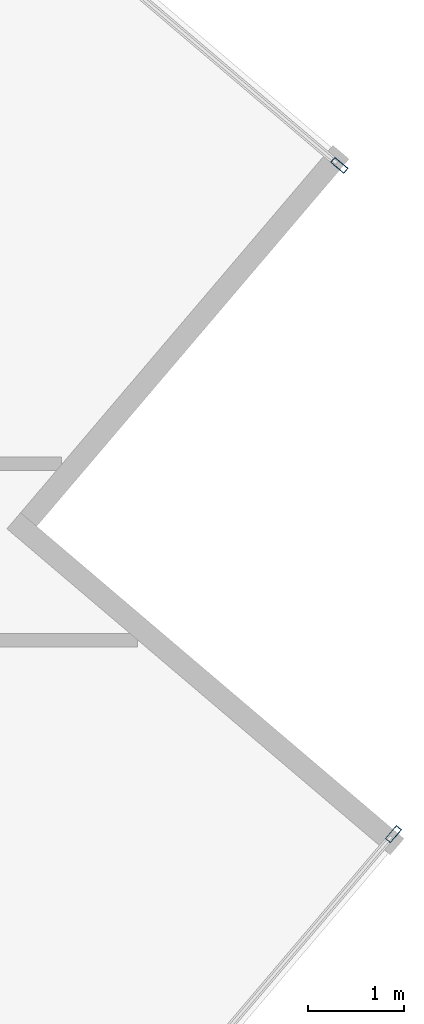
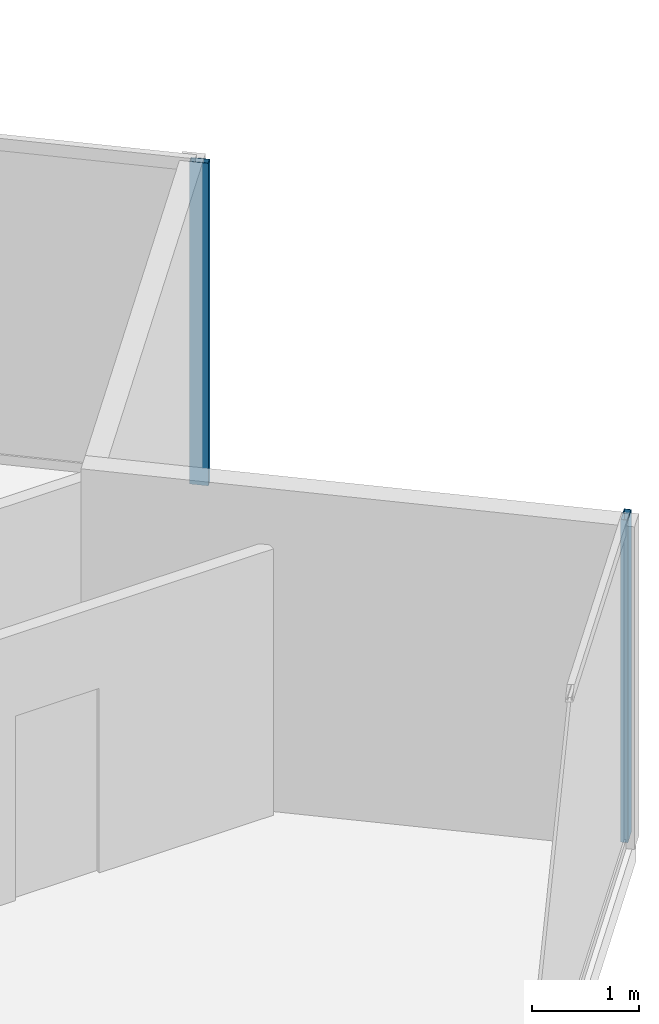
# One storey, part 13 of 25: 2 members, 2 elements without a shape of their own.
"""IFC4 building model written with IfcOpenShell, lengths in metres."""

from ifc_helpers import new_model, si_unit, direction, frame, origin, origin_2d, place, context, subcontext, project, spatial, hollow_rectangle, extrude, source, transform, mapped, material, material_profile, profile_set, type_object, type_shapes, element, aggregate, save


model = new_model("IFC4")

# Units and contexts
model_context = context("Model", 3, precision=1e-05, world=origin(), true_north=direction((0.0, 1.0)))
body_context = subcontext(model_context, "Body", "Model", "MODEL_VIEW")
ifc_project = project(units=[si_unit("LENGTHUNIT", "METRE"), si_unit("AREAUNIT", "SQUARE_METRE"), si_unit("VOLUMEUNIT", "CUBIC_METRE"), si_unit("PLANEANGLEUNIT", "RADIAN"), si_unit("MASSUNIT", "GRAM", prefix="KILO")], contexts=[model_context])

# Site, building, storey
site_placement = place(None, origin())
site = spatial("IfcSite", under=ifc_project, at=site_placement, CompositionType="ELEMENT")
building_placement = place(site_placement, origin())
building = spatial("IfcBuilding", under=site, at=building_placement, Name="Krantzveldt Concourse Tower", CompositionType="ELEMENT")
storey_placement = place(building_placement, frame((0.0, 0.0, 211.25)))
storey = spatial("IfcBuildingStorey", under=building, at=storey_placement, Name="L51", CompositionType="ELEMENT", Elevation=211.25)

# Curtain wall, member
ifc_material = material(Name="Anodised aluminium 6063-T6", Category="aluminium")
curtain_wall_type = type_object("IfcCurtainWallType", Name="CW3", PredefinedType="USERDEFINED", material=ifc_material)
curtain_wall_1_placement = place(storey_placement, origin())
curtain_wall_1 = element("IfcCurtainWall", 1, at=curtain_wall_1_placement, inside=storey, type_object=curtain_wall_type, Name="CW-L51-F07", ObjectType="UNITISED CURTAIN WALL", PredefinedType="USERDEFINED")
ifc_material_profile = material_profile(ifc_material, hollow_rectangle(XDim=0.070068359375, YDim=0.179931640625, WallThickness=0.0048828125, at=origin_2d()), Name="Anodised aluminium 6063-T6", Category="aluminium")
ifc_profile_set = profile_set([ifc_material_profile], Name="Anodised aluminium 6063-T6 - ALU-MULL 180x70x5")
member_type = type_object("IfcMemberType", Name="CW-MUL-180", PredefinedType="MULLION", material=ifc_profile_set)
shared_shape = source(origin(), body_context, "Body", "SweptSolid", [
    extrude(hollow_rectangle(XDim=0.070068359375, YDim=0.179931640625, WallThickness=0.0048828125, at=origin_2d()), origin(), (0.0, 0.0, 1.0), 3.669921875),
])
type_shapes(member_type, [shared_shape])
member_1_placement = place(storey_placement, frame((61.56689453125, 25.26025390625, 0.0), z_axis=(0.0, 0.0, 1.0), x_axis=(-0.761820912327, 0.647787694805, 0.0)))
member_1 = element("IfcMember", 2, at=member_1_placement, type_object=member_type, Name="CW-Z34 mullion 6", PredefinedType="MULLION", context=body_context, shape_type="MappedRepresentation", body=[
    mapped(shared_shape, transform((0.0, 0.0, 0.0), x_axis=(1.0, 0.0, 0.0), y_axis=(0.0, 1.0, 0.0), z_axis=(0.0, 0.0, 1.0), scale=1.0)),
])
aggregate(curtain_wall_1, [member_1])

curtain_wall_2_placement = place(storey_placement, origin())
curtain_wall_2 = element("IfcCurtainWall", 3, at=curtain_wall_2_placement, inside=storey, type_object=curtain_wall_type, Name="CW-L51-F10", ObjectType="UNITISED CURTAIN WALL", PredefinedType="USERDEFINED")
member_2_placement = place(storey_placement, frame((61.0029296875, 32.230712890625, 0.0), z_axis=(0.0, 0.0, 1.0), x_axis=(-0.647787694805, -0.761820912327, 0.0)))
member_2 = element("IfcMember", 4, at=member_2_placement, type_object=member_type, Name="CW-Z34 mullion 1", PredefinedType="MULLION", context=body_context, shape_type="MappedRepresentation", body=[
    mapped(shared_shape, transform((0.0, 0.0, 0.0), x_axis=(1.0, 0.0, 0.0), y_axis=(0.0, 1.0, 0.0), z_axis=(0.0, 0.0, 1.0), scale=1.0)),
])
aggregate(curtain_wall_2, [member_2])

save(model, "model.ifc")
